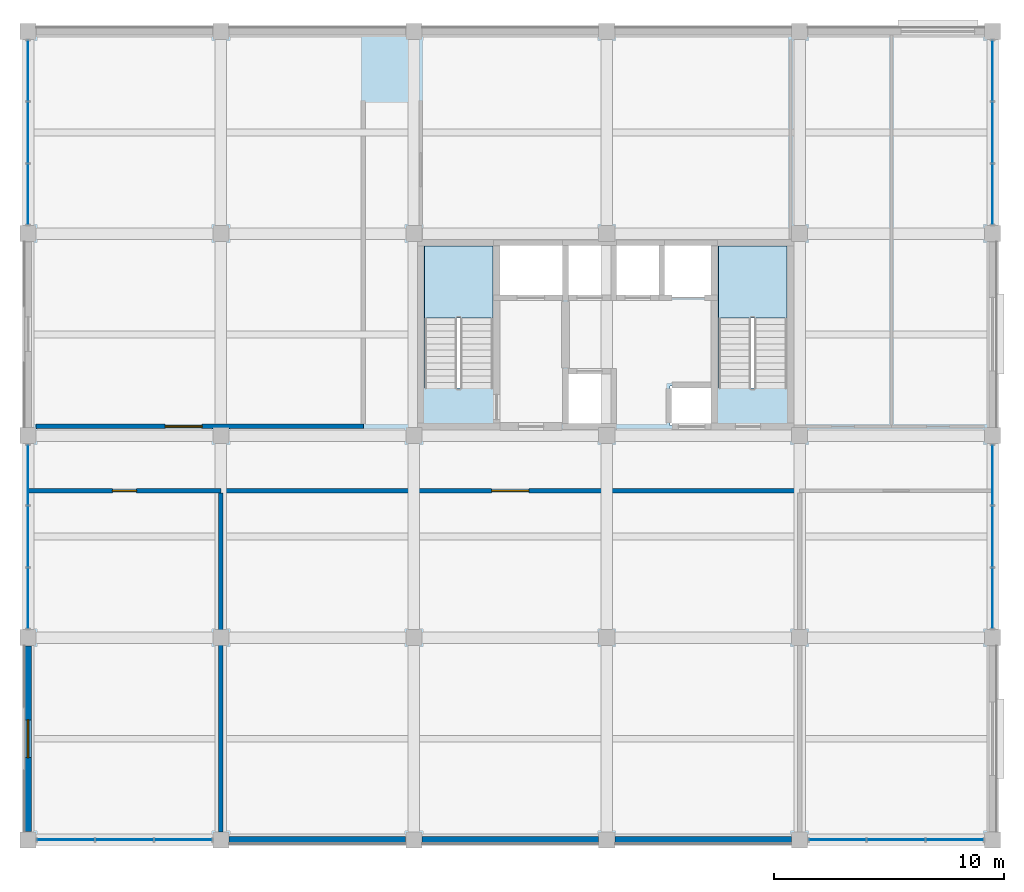
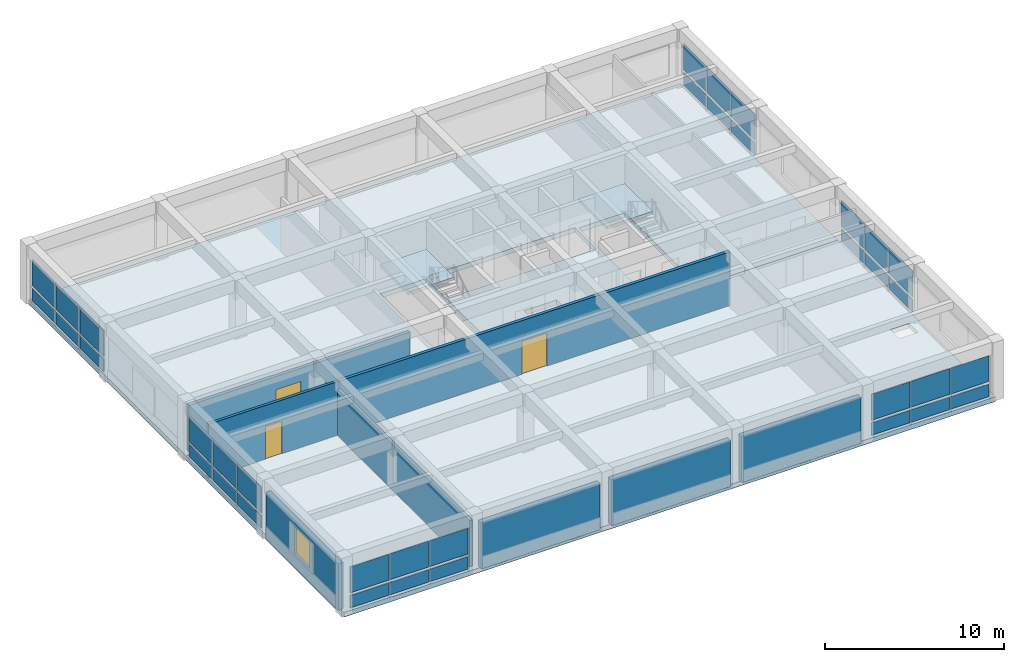
# One storey, part 7 of 14: 36 plates, 8 walls, 4 slabs, 3 doors, 1 window, 4 openings, 8 elements without a shape of their own.
"""IFC4 building model written with IfcOpenShell, lengths in metres."""

import ifcopenshell
import ifcopenshell.guid

model = None  # the IFC model being written
_history = None  # IfcOwnerHistory: only IFC2X3 demands one
_inside = {}  # id of a spatial element -> (the spatial element, [elements in it])
_under = {}  # id of a project, library or spatial element -> (it, [spatial elements below it])
_declared = {}  # id of a project -> (the project, [libraries it declares])
_typed = {}  # id of a type object -> (the type object, [elements of that type])
_made_of = {}  # id of a material, layer set ... -> (it, [elements and type objects made of it])


def new_model(schema):
    """Start an empty IFC model of exactly this schema.

    Asked for "IFC4X3", IfcOpenShell would pick the latest addendum, in which some entities
    have other attributes; the version numbers below select the first issue.
    IFC2X3 requires an IfcOwnerHistory on every rooted entity: one is made here for all.
    """
    global model, _history
    if schema == "IFC4X3":
        model = ifcopenshell.file(schema_version=(4, 3, 0, 0))
    else:
        model = ifcopenshell.file(schema=schema)
    _inside.clear()
    _under.clear()
    _declared.clear()
    _typed.clear()
    _made_of.clear()
    _history = None
    if model.schema == "IFC2X3":
        org = make("IfcOrganization", Name="unknown")
        user = make(
            "IfcPersonAndOrganization",
            ThePerson=make("IfcPerson", FamilyName="unknown"),
            TheOrganization=org,
        )
        app = make(
            "IfcApplication",
            ApplicationDeveloper=org,
            Version="unknown",
            ApplicationFullName="unknown",
            ApplicationIdentifier="unknown",
        )
        _history = make(
            "IfcOwnerHistory",
            OwningUser=user,
            OwningApplication=app,
            ChangeAction="ADDED",
            CreationDate=0,
        )
    return model


def make(cls, **values):
    """One entity of the class cls with the attributes given. An attribute that is None is left unset."""
    return model.create_entity(
        cls, **{name: value for name, value in values.items() if value is not None}
    )


def rooted(cls, **values):
    """An entity with a GlobalId (a new one), such as an element, a storey or a relation."""
    return make(cls, GlobalId=ifcopenshell.guid.new(), OwnerHistory=_history, **values)


def si_unit(unit_type, name, prefix=None):
    """IfcSIUnit, for example si_unit("LENGTHUNIT", "METRE", prefix="MILLI")."""
    return make("IfcSIUnit", UnitType=unit_type, Prefix=prefix, Name=name)


def assignment(units):
    """IfcUnitAssignment: the units of a project."""
    return None if units is None else make("IfcUnitAssignment", Units=units)


def point(xyz):
    """IfcCartesianPoint."""
    return None if xyz is None else make("IfcCartesianPoint", Coordinates=xyz)


def direction(xyz):
    """IfcDirection."""
    return None if xyz is None else make("IfcDirection", DirectionRatios=xyz)


def frame(location, z_axis=None, x_axis=None):
    """IfcAxis2Placement3D, a coordinate frame: its origin and axes. An axis left out is left unset."""
    return make(
        "IfcAxis2Placement3D",
        Location=point(location),
        Axis=direction(z_axis),
        RefDirection=direction(x_axis),
    )


def frame_2d(location, x_axis=None):
    """IfcAxis2Placement2D, a coordinate frame in the plane: its origin and x axis."""
    return make(
        "IfcAxis2Placement2D", Location=point(location), RefDirection=direction(x_axis)
    )


def origin():
    """The frame at (0, 0, 0) with its axes left unset."""
    return frame((0.0, 0.0, 0.0))


def origin_2d():
    """The frame at (0, 0) in the plane with its x axis left unset."""
    return frame_2d((0.0, 0.0))


def place(relative_to, where):
    """IfcLocalPlacement: puts the frame where relative to a parent placement (None: the world)."""
    return make(
        "IfcLocalPlacement", PlacementRelTo=relative_to, RelativePlacement=where
    )


def context(
    kind, dimensions, precision=None, world=None, true_north=None, identifier=None
):
    """IfcGeometricRepresentationContext, for example the 3D "Model" context."""
    return make(
        "IfcGeometricRepresentationContext",
        ContextIdentifier=identifier,
        ContextType=kind,
        CoordinateSpaceDimension=dimensions,
        Precision=precision,
        WorldCoordinateSystem=world,
        TrueNorth=true_north,
    )


def subcontext(parent, identifier, kind, view, scale=None):
    """IfcGeometricRepresentationSubContext, for example "Body" below "Model"."""
    return make(
        "IfcGeometricRepresentationSubContext",
        ContextIdentifier=identifier,
        ContextType=kind,
        ParentContext=parent,
        TargetScale=scale,
        TargetView=view,
    )


def project(units=None, contexts=None):
    """IfcProject with its units and contexts."""
    return rooted(
        "IfcProject",
        Name="project",
        RepresentationContexts=contexts,
        UnitsInContext=assignment(units),
    )


def spatial(cls, under=None, at=None, **own):
    """A site, building, storey or space (cls), placed at a placement, below another one or the project."""
    s = rooted(cls, ObjectPlacement=at, **own)
    if under is not None:
        _under.setdefault(under.id(), (under, []))[1].append(s)
    return s


def polyline(points):
    """IfcPolyline through the points."""
    return make("IfcPolyline", Points=[point(p) for p in points])


def profile(cls, at=None, kind="AREA", **sizes):
    """A parametric profile (cls). Its sizes go by their IFC names, for example OverallWidth=200.0."""
    return make(cls, ProfileType=kind, Position=at, **sizes)


def rectangle(**sizes):
    """IfcRectangleProfileDef."""
    return profile("IfcRectangleProfileDef", **sizes)


def outline(outer, holes=None, kind="AREA"):
    """IfcArbitraryClosedProfileDef: a profile drawn as a closed curve; with holes, ...WithVoids."""
    if holes is None:
        return make("IfcArbitraryClosedProfileDef", ProfileType=kind, OuterCurve=outer)
    return make(
        "IfcArbitraryProfileDefWithVoids",
        ProfileType=kind,
        OuterCurve=outer,
        InnerCurves=holes,
    )


def extrude(swept, where, along, depth):
    """IfcExtrudedAreaSolid: the profile swept, set in the frame where, extruded along a direction by depth."""
    return make(
        "IfcExtrudedAreaSolid",
        SweptArea=swept,
        Position=where,
        ExtrudedDirection=direction(along),
        Depth=depth,
    )


def shape(context_of_items, identifier, shape_type, items):
    """IfcShapeRepresentation: the items that make up one representation, for example the "Body"."""
    return make(
        "IfcShapeRepresentation",
        ContextOfItems=context_of_items,
        RepresentationIdentifier=identifier,
        RepresentationType=shape_type,
        Items=items,
    )


def material(Name=None, Category=None):
    """IfcMaterial."""
    return make("IfcMaterial", Name=Name, Category=Category)


def layer(
    of_material, thickness, ventilated=None, Name=None, Category=None, Priority=None
):
    """IfcMaterialLayer: one layer of a wall or slab, of a material (None: an air gap)."""
    return make(
        "IfcMaterialLayer",
        Material=of_material,
        LayerThickness=thickness,
        IsVentilated=ventilated,
        Name=Name,
        Category=Category,
        Priority=Priority,
    )


def layer_set(layers, Name=None):
    """IfcMaterialLayerSet."""
    return make("IfcMaterialLayerSet", MaterialLayers=layers, LayerSetName=Name)


def made_of(thing, what):
    """Note that an element or type object is made of a material, layer set ...; save() writes the relation."""
    if what is not None:
        _made_of.setdefault(what.id(), (what, []))[1].append(thing)
    return thing


def type_object(cls, material=None, **own):
    """A type object (cls), such as IfcWallType, which elements share."""
    return made_of(rooted(cls, **own), material)


def element(
    cls,
    number,
    at=None,
    inside=None,
    cuts=None,
    type_object=None,
    material=None,
    context=None,
    identifier="Body",
    shape_type=None,
    held_by="IfcProductDefinitionShape",
    body=None,
    shapes=None,
    **own,
):
    """One element of the class cls, such as IfcWall. Its Tag is "e" and its number.

    at: its placement. inside: the storey or other place that contains it. cuts: it is an
    opening in that element (IfcRelVoidsElement). A single representation is given by context,
    identifier, shape_type and body (its items); several are given by shapes. held_by: the class
    of the entity that holds the representations. save() writes the other relations.
    """
    e = rooted(cls, Tag="e%d" % number, ObjectPlacement=at, **own)
    if body is not None:
        shapes = [shape(context, identifier, shape_type, body)]
    if shapes is not None:
        e.Representation = make(held_by, Representations=shapes)
    if inside is not None:
        _inside.setdefault(inside.id(), (inside, []))[1].append(e)
    if cuts is not None:
        rooted(
            "IfcRelVoidsElement", RelatingBuildingElement=cuts, RelatedOpeningElement=e
        )
    if type_object is not None:
        _typed.setdefault(type_object.id(), (type_object, []))[1].append(e)
    return made_of(e, material)


def fill(opening, filler):
    """IfcRelFillsElement: the door or window that sits in an opening."""
    return rooted(
        "IfcRelFillsElement",
        RelatingOpeningElement=opening,
        RelatedBuildingElement=filler,
    )


def aggregate(whole, parts):
    """IfcRelAggregates: a whole, such as a stair, and the parts it consists of."""
    return rooted("IfcRelAggregates", RelatingObject=whole, RelatedObjects=parts)


def save(model, path):
    """Write the relations noted so far, then the file.

    IfcRelAggregates (storeys below a building ...), IfcRelContainedInSpatialStructure (elements
    in a storey), IfcRelDefinesByType, IfcRelAssociatesMaterial and IfcRelDeclares: one each for
    every whole, place, type object, material and project.
    """
    for whole, parts in _under.values():
        aggregate(whole, parts)
    for where, things in _inside.values():
        rooted(
            "IfcRelContainedInSpatialStructure",
            RelatedElements=things,
            RelatingStructure=where,
        )
    for kind, things in _typed.values():
        rooted("IfcRelDefinesByType", RelatedObjects=things, RelatingType=kind)
    for what, things in _made_of.values():
        rooted("IfcRelAssociatesMaterial", RelatedObjects=things, RelatingMaterial=what)
    for by, libraries in _declared.values():
        rooted("IfcRelDeclares", RelatingContext=by, RelatedDefinitions=libraries)
    model.write(path)


model = new_model("IFC4")

# Units and contexts
model_context = context("Model", 3, precision=1e-05, world=origin(), true_north=direction((0.0, 1.0)))
body_context = subcontext(model_context, "Body", "Model", "MODEL_VIEW")
ifc_project = project(units=[si_unit("LENGTHUNIT", "METRE"), si_unit("AREAUNIT", "SQUARE_METRE"), si_unit("VOLUMEUNIT", "CUBIC_METRE"), si_unit("PLANEANGLEUNIT", "RADIAN"), si_unit("MASSUNIT", "GRAM", prefix="KILO")], contexts=[model_context])

# Site, building, storey
site_placement = place(None, origin())
site = spatial("IfcSite", under=ifc_project, at=site_placement, CompositionType="ELEMENT")
building_placement = place(site_placement, origin())
building = spatial("IfcBuilding", under=site, at=building_placement, Name="Kemercrest Conservatory and Botanical Centre", CompositionType="ELEMENT")
storey_placement = place(building_placement, frame((0.0, 0.0, 28.800048828125)))
storey = spatial("IfcBuildingStorey", under=building, at=storey_placement, Name="L07", CompositionType="ELEMENT", Elevation=28.800048828125)

# Curtain wall, plates
ifc_material_1 = material(Name="Thermally broken aluminium and triple low-e glazing", Category="aluminium")
curtain_wall_type_1 = type_object("IfcCurtainWallType", Name="CW-29", PredefinedType="USERDEFINED", material=ifc_material_1)
curtain_wall_1_placement = place(storey_placement, origin())
curtain_wall_1 = element("IfcCurtainWall", 1, at=curtain_wall_1_placement, inside=storey, type_object=curtain_wall_type_1, Name="Unitised curtain wall CW-29 (CW:L07:V4-088)", ObjectType="UNITISED CURTAIN WALL", PredefinedType="USERDEFINED")
ifc_material_2 = material(Name="Triple low-e argon insulated glazing unit", Category="glass")
ifc_layer_1 = layer(ifc_material_2, 0.035888671875)
ifc_layer_set_1 = layer_set([ifc_layer_1], Name="Triple low-e argon insulated glazing unit")
plate_type = type_object("IfcPlateType", Name="CW-PNL036", PredefinedType="CURTAIN_PANEL", material=ifc_layer_set_1)
plate_1_placement = place(storey_placement, frame((135.646240234375, 87.199951171875, 0.179931640625), z_axis=(0.0, 0.0, 1.0), x_axis=(1.0, 0.0, 0.0)))
plate_1 = element("IfcPlate", 2, at=plate_1_placement, type_object=plate_type, Name="CW-29 panel 1.1", PredefinedType="CURTAIN_PANEL", context=body_context, shape_type="SweptSolid", body=[
    extrude(rectangle(XDim=2.472412109375, YDim=0.035888671875, at=origin_2d()), origin(), (0.0, 0.0, 1.0), 0.85009765625),
])
plate_2_placement = place(storey_placement, frame((135.646240234375, 87.199951171875, 1.2099609375), z_axis=(0.0, 0.0, 1.0), x_axis=(1.0, 0.0, 0.0)))
plate_2 = element("IfcPlate", 3, at=plate_2_placement, type_object=plate_type, Name="CW-29 panel 1.2", PredefinedType="CURTAIN_PANEL", context=body_context, shape_type="SweptSolid", body=[
    extrude(rectangle(XDim=2.472412109375, YDim=0.035888671875, at=origin_2d()), origin(), (0.0, 0.0, 1.0), 1.764892578125),
])
plate_3_placement = place(storey_placement, frame((138.199951171875, 87.199951171875, 0.179931640625), z_axis=(0.0, 0.0, 1.0), x_axis=(1.0, 0.0, 0.0)))
plate_3 = element("IfcPlate", 4, at=plate_3_placement, type_object=plate_type, Name="CW-29 panel 2.1", PredefinedType="CURTAIN_PANEL", context=body_context, shape_type="SweptSolid", body=[
    extrude(rectangle(XDim=2.5048828125, YDim=0.035888671875, at=origin_2d()), origin(), (0.0, 0.0, 1.0), 0.85009765625),
])
plate_4_placement = place(storey_placement, frame((138.199951171875, 87.199951171875, 1.2099609375), z_axis=(0.0, 0.0, 1.0), x_axis=(1.0, 0.0, 0.0)))
plate_4 = element("IfcPlate", 5, at=plate_4_placement, type_object=plate_type, Name="CW-29 panel 2.2", PredefinedType="CURTAIN_PANEL", context=body_context, shape_type="SweptSolid", body=[
    extrude(rectangle(XDim=2.5048828125, YDim=0.035888671875, at=origin_2d()), origin(), (0.0, 0.0, 1.0), 1.764892578125),
])
plate_5_placement = place(storey_placement, frame((140.753662109375, 87.199951171875, 0.179931640625), z_axis=(0.0, 0.0, 1.0), x_axis=(1.0, 0.0, 0.0)))
plate_5 = element("IfcPlate", 6, at=plate_5_placement, type_object=plate_type, Name="CW-29 panel 3.1", PredefinedType="CURTAIN_PANEL", context=body_context, shape_type="SweptSolid", body=[
    extrude(rectangle(XDim=2.472412109375, YDim=0.035888671875, at=origin_2d()), origin(), (0.0, 0.0, 1.0), 0.85009765625),
])
plate_6_placement = place(storey_placement, frame((140.753662109375, 87.199951171875, 1.2099609375), z_axis=(0.0, 0.0, 1.0), x_axis=(1.0, 0.0, 0.0)))
plate_6 = element("IfcPlate", 7, at=plate_6_placement, type_object=plate_type, Name="CW-29 panel 3.2", PredefinedType="CURTAIN_PANEL", context=body_context, shape_type="SweptSolid", body=[
    extrude(rectangle(XDim=2.472412109375, YDim=0.035888671875, at=origin_2d()), origin(), (0.0, 0.0, 1.0), 1.764892578125),
])
aggregate(curtain_wall_1, [plate_1, plate_2, plate_3, plate_4, plate_5, plate_6])

curtain_wall_type_2 = type_object("IfcCurtainWallType", Name="CW-30", PredefinedType="USERDEFINED", material=ifc_material_1)
curtain_wall_2_placement = place(storey_placement, origin())
curtain_wall_2 = element("IfcCurtainWall", 8, at=curtain_wall_2_placement, inside=storey, type_object=curtain_wall_type_2, Name="Unitised curtain wall CW-30 (CW:L07:V4-089)", ObjectType="UNITISED CURTAIN WALL", PredefinedType="USERDEFINED")
plate_7_placement = place(storey_placement, frame((169.246337890625, 87.199951171875, 0.179931640625), z_axis=(0.0, 0.0, 1.0), x_axis=(1.0, 0.0, 0.0)))
plate_7 = element("IfcPlate", 9, at=plate_7_placement, type_object=plate_type, Name="CW-30 panel 1.1", PredefinedType="CURTAIN_PANEL", context=body_context, shape_type="SweptSolid", body=[
    extrude(rectangle(XDim=2.472412109375, YDim=0.035888671875, at=origin_2d()), origin(), (0.0, 0.0, 1.0), 0.85009765625),
])
plate_8_placement = place(storey_placement, frame((169.246337890625, 87.199951171875, 1.2099609375), z_axis=(0.0, 0.0, 1.0), x_axis=(1.0, 0.0, 0.0)))
plate_8 = element("IfcPlate", 10, at=plate_8_placement, type_object=plate_type, Name="CW-30 panel 1.2", PredefinedType="CURTAIN_PANEL", context=body_context, shape_type="SweptSolid", body=[
    extrude(rectangle(XDim=2.472412109375, YDim=0.035888671875, at=origin_2d()), origin(), (0.0, 0.0, 1.0), 1.764892578125),
])
plate_9_placement = place(storey_placement, frame((171.800048828125, 87.199951171875, 0.179931640625), z_axis=(0.0, 0.0, 1.0), x_axis=(1.0, 0.0, 0.0)))
plate_9 = element("IfcPlate", 11, at=plate_9_placement, type_object=plate_type, Name="CW-30 panel 2.1", PredefinedType="CURTAIN_PANEL", context=body_context, shape_type="SweptSolid", body=[
    extrude(rectangle(XDim=2.5048828125, YDim=0.035888671875, at=origin_2d()), origin(), (0.0, 0.0, 1.0), 0.85009765625),
])
plate_10_placement = place(storey_placement, frame((171.800048828125, 87.199951171875, 1.2099609375), z_axis=(0.0, 0.0, 1.0), x_axis=(1.0, 0.0, 0.0)))
plate_10 = element("IfcPlate", 12, at=plate_10_placement, type_object=plate_type, Name="CW-30 panel 2.2", PredefinedType="CURTAIN_PANEL", context=body_context, shape_type="SweptSolid", body=[
    extrude(rectangle(XDim=2.5048828125, YDim=0.035888671875, at=origin_2d()), origin(), (0.0, 0.0, 1.0), 1.764892578125),
])
plate_11_placement = place(storey_placement, frame((174.353759765625, 87.199951171875, 0.179931640625), z_axis=(0.0, 0.0, 1.0), x_axis=(1.0, 0.0, 0.0)))
plate_11 = element("IfcPlate", 13, at=plate_11_placement, type_object=plate_type, Name="CW-30 panel 3.1", PredefinedType="CURTAIN_PANEL", context=body_context, shape_type="SweptSolid", body=[
    extrude(rectangle(XDim=2.472412109375, YDim=0.035888671875, at=origin_2d()), origin(), (0.0, 0.0, 1.0), 0.85009765625),
])
plate_12_placement = place(storey_placement, frame((174.353759765625, 87.199951171875, 1.2099609375), z_axis=(0.0, 0.0, 1.0), x_axis=(1.0, 0.0, 0.0)))
plate_12 = element("IfcPlate", 14, at=plate_12_placement, type_object=plate_type, Name="CW-30 panel 3.2", PredefinedType="CURTAIN_PANEL", context=body_context, shape_type="SweptSolid", body=[
    extrude(rectangle(XDim=2.472412109375, YDim=0.035888671875, at=origin_2d()), origin(), (0.0, 0.0, 1.0), 1.764892578125),
])
aggregate(curtain_wall_2, [plate_7, plate_8, plate_9, plate_10, plate_11, plate_12])

curtain_wall_type_3 = type_object("IfcCurtainWallType", Name="CW-01", PredefinedType="USERDEFINED", material=ifc_material_1)
curtain_wall_3_placement = place(storey_placement, origin())
curtain_wall_3 = element("IfcCurtainWall", 15, at=curtain_wall_3_placement, inside=storey, type_object=curtain_wall_type_3, Name="Unitised curtain wall CW-01 (CW:L07:V4-090)", ObjectType="UNITISED CURTAIN WALL", PredefinedType="USERDEFINED")
plate_13_placement = place(storey_placement, frame((176.0, 97.712890625, 0.179931640625), z_axis=(0.0, 0.0, 1.0), x_axis=(0.0, 1.0, 0.0)))
plate_13 = element("IfcPlate", 16, at=plate_13_placement, type_object=plate_type, Name="CW-01 panel 1.1", PredefinedType="CURTAIN_PANEL", context=body_context, shape_type="SweptSolid", body=[
    extrude(rectangle(XDim=2.605712890625, YDim=0.035888671875, at=origin_2d()), origin(), (0.0, 0.0, 1.0), 0.85009765625),
])
plate_14_placement = place(storey_placement, frame((176.0, 97.712890625, 1.2099609375), z_axis=(0.0, 0.0, 1.0), x_axis=(0.0, 1.0, 0.0)))
plate_14 = element("IfcPlate", 17, at=plate_14_placement, type_object=plate_type, Name="CW-01 panel 1.2", PredefinedType="CURTAIN_PANEL", context=body_context, shape_type="SweptSolid", body=[
    extrude(rectangle(XDim=2.605712890625, YDim=0.035888671875, at=origin_2d()), origin(), (0.0, 0.0, 1.0), 1.764892578125),
])
plate_15_placement = place(storey_placement, frame((176.0, 100.39990234375, 0.179931640625), z_axis=(0.0, 0.0, 1.0), x_axis=(0.0, 1.0, 0.0)))
plate_15 = element("IfcPlate", 18, at=plate_15_placement, type_object=plate_type, Name="CW-01 panel 2.1", PredefinedType="CURTAIN_PANEL", context=body_context, shape_type="SweptSolid", body=[
    extrude(rectangle(XDim=2.638427734375, YDim=0.035888671875, at=origin_2d()), origin(), (0.0, 0.0, 1.0), 0.85009765625),
])
plate_16_placement = place(storey_placement, frame((176.0, 100.39990234375, 1.2099609375), z_axis=(0.0, 0.0, 1.0), x_axis=(0.0, 1.0, 0.0)))
plate_16 = element("IfcPlate", 19, at=plate_16_placement, type_object=plate_type, Name="CW-01 panel 2.2", PredefinedType="CURTAIN_PANEL", context=body_context, shape_type="SweptSolid", body=[
    extrude(rectangle(XDim=2.638427734375, YDim=0.035888671875, at=origin_2d()), origin(), (0.0, 0.0, 1.0), 1.764892578125),
])
plate_17_placement = place(storey_placement, frame((176.0, 103.087158203125, 0.179931640625), z_axis=(0.0, 0.0, 1.0), x_axis=(0.0, 1.0, 0.0)))
plate_17 = element("IfcPlate", 20, at=plate_17_placement, type_object=plate_type, Name="CW-01 panel 3.1", PredefinedType="CURTAIN_PANEL", context=body_context, shape_type="SweptSolid", body=[
    extrude(rectangle(XDim=2.605712890625, YDim=0.035888671875, at=origin_2d()), origin(), (0.0, 0.0, 1.0), 0.85009765625),
])
plate_18_placement = place(storey_placement, frame((176.0, 103.087158203125, 1.2099609375), z_axis=(0.0, 0.0, 1.0), x_axis=(0.0, 1.0, 0.0)))
plate_18 = element("IfcPlate", 21, at=plate_18_placement, type_object=plate_type, Name="CW-01 panel 3.2", PredefinedType="CURTAIN_PANEL", context=body_context, shape_type="SweptSolid", body=[
    extrude(rectangle(XDim=2.605712890625, YDim=0.035888671875, at=origin_2d()), origin(), (0.0, 0.0, 1.0), 1.764892578125),
])
aggregate(curtain_wall_3, [plate_13, plate_14, plate_15, plate_16, plate_17, plate_18])

curtain_wall_type_4 = type_object("IfcCurtainWallType", Name="CW-02", PredefinedType="USERDEFINED", material=ifc_material_1)
curtain_wall_4_placement = place(storey_placement, origin())
curtain_wall_4 = element("IfcCurtainWall", 22, at=curtain_wall_4_placement, inside=storey, type_object=curtain_wall_type_4, Name="Unitised curtain wall CW-02 (CW:L07:V4-091)", ObjectType="UNITISED CURTAIN WALL", PredefinedType="USERDEFINED")
plate_19_placement = place(storey_placement, frame((176.0, 115.31298828125, 0.179931640625), z_axis=(0.0, 0.0, 1.0), x_axis=(0.0, 1.0, 0.0)))
plate_19 = element("IfcPlate", 23, at=plate_19_placement, type_object=plate_type, Name="CW-02 panel 1.1", PredefinedType="CURTAIN_PANEL", context=body_context, shape_type="SweptSolid", body=[
    extrude(rectangle(XDim=2.605712890625, YDim=0.035888671875, at=origin_2d()), origin(), (0.0, 0.0, 1.0), 0.85009765625),
])
plate_20_placement = place(storey_placement, frame((176.0, 115.31298828125, 1.2099609375), z_axis=(0.0, 0.0, 1.0), x_axis=(0.0, 1.0, 0.0)))
plate_20 = element("IfcPlate", 24, at=plate_20_placement, type_object=plate_type, Name="CW-02 panel 1.2", PredefinedType="CURTAIN_PANEL", context=body_context, shape_type="SweptSolid", body=[
    extrude(rectangle(XDim=2.605712890625, YDim=0.035888671875, at=origin_2d()), origin(), (0.0, 0.0, 1.0), 1.764892578125),
])
plate_21_placement = place(storey_placement, frame((176.0, 118.0, 0.179931640625), z_axis=(0.0, 0.0, 1.0), x_axis=(0.0, 1.0, 0.0)))
plate_21 = element("IfcPlate", 25, at=plate_21_placement, type_object=plate_type, Name="CW-02 panel 2.1", PredefinedType="CURTAIN_PANEL", context=body_context, shape_type="SweptSolid", body=[
    extrude(rectangle(XDim=2.638427734375, YDim=0.035888671875, at=origin_2d()), origin(), (0.0, 0.0, 1.0), 0.85009765625),
])
plate_22_placement = place(storey_placement, frame((176.0, 118.0, 1.2099609375), z_axis=(0.0, 0.0, 1.0), x_axis=(0.0, 1.0, 0.0)))
plate_22 = element("IfcPlate", 26, at=plate_22_placement, type_object=plate_type, Name="CW-02 panel 2.2", PredefinedType="CURTAIN_PANEL", context=body_context, shape_type="SweptSolid", body=[
    extrude(rectangle(XDim=2.638427734375, YDim=0.035888671875, at=origin_2d()), origin(), (0.0, 0.0, 1.0), 1.764892578125),
])
plate_23_placement = place(storey_placement, frame((176.0, 120.68701171875, 0.179931640625), z_axis=(0.0, 0.0, 1.0), x_axis=(0.0, 1.0, 0.0)))
plate_23 = element("IfcPlate", 27, at=plate_23_placement, type_object=plate_type, Name="CW-02 panel 3.1", PredefinedType="CURTAIN_PANEL", context=body_context, shape_type="SweptSolid", body=[
    extrude(rectangle(XDim=2.605712890625, YDim=0.035888671875, at=origin_2d()), origin(), (0.0, 0.0, 1.0), 0.85009765625),
])
plate_24_placement = place(storey_placement, frame((176.0, 120.68701171875, 1.2099609375), z_axis=(0.0, 0.0, 1.0), x_axis=(0.0, 1.0, 0.0)))
plate_24 = element("IfcPlate", 28, at=plate_24_placement, type_object=plate_type, Name="CW-02 panel 3.2", PredefinedType="CURTAIN_PANEL", context=body_context, shape_type="SweptSolid", body=[
    extrude(rectangle(XDim=2.605712890625, YDim=0.035888671875, at=origin_2d()), origin(), (0.0, 0.0, 1.0), 1.764892578125),
])
aggregate(curtain_wall_4, [plate_19, plate_20, plate_21, plate_22, plate_23, plate_24])

curtain_wall_type_5 = type_object("IfcCurtainWallType", Name="CW-03", PredefinedType="USERDEFINED", material=ifc_material_1)
curtain_wall_5_placement = place(storey_placement, origin())
curtain_wall_5 = element("IfcCurtainWall", 29, at=curtain_wall_5_placement, inside=storey, type_object=curtain_wall_type_5, Name="Unitised curtain wall CW-03 (CW:L07:V4-092)", ObjectType="UNITISED CURTAIN WALL", PredefinedType="USERDEFINED")
plate_25_placement = place(storey_placement, frame((134.0, 120.68701171875, 0.179931640625), z_axis=(0.0, 0.0, 1.0), x_axis=(0.0, -1.0, 0.0)))
plate_25 = element("IfcPlate", 30, at=plate_25_placement, type_object=plate_type, Name="CW-03 panel 1.1", PredefinedType="CURTAIN_PANEL", context=body_context, shape_type="SweptSolid", body=[
    extrude(rectangle(XDim=2.605712890625, YDim=0.035888671875, at=origin_2d()), origin(), (0.0, 0.0, 1.0), 0.85009765625),
])
plate_26_placement = place(storey_placement, frame((134.0, 120.68701171875, 1.2099609375), z_axis=(0.0, 0.0, 1.0), x_axis=(0.0, -1.0, 0.0)))
plate_26 = element("IfcPlate", 31, at=plate_26_placement, type_object=plate_type, Name="CW-03 panel 1.2", PredefinedType="CURTAIN_PANEL", context=body_context, shape_type="SweptSolid", body=[
    extrude(rectangle(XDim=2.605712890625, YDim=0.035888671875, at=origin_2d()), origin(), (0.0, 0.0, 1.0), 1.764892578125),
])
plate_27_placement = place(storey_placement, frame((134.0, 118.0, 0.179931640625), z_axis=(0.0, 0.0, 1.0), x_axis=(0.0, -1.0, 0.0)))
plate_27 = element("IfcPlate", 32, at=plate_27_placement, type_object=plate_type, Name="CW-03 panel 2.1", PredefinedType="CURTAIN_PANEL", context=body_context, shape_type="SweptSolid", body=[
    extrude(rectangle(XDim=2.638427734375, YDim=0.035888671875, at=origin_2d()), origin(), (0.0, 0.0, 1.0), 0.85009765625),
])
plate_28_placement = place(storey_placement, frame((134.0, 118.0, 1.2099609375), z_axis=(0.0, 0.0, 1.0), x_axis=(0.0, -1.0, 0.0)))
plate_28 = element("IfcPlate", 33, at=plate_28_placement, type_object=plate_type, Name="CW-03 panel 2.2", PredefinedType="CURTAIN_PANEL", context=body_context, shape_type="SweptSolid", body=[
    extrude(rectangle(XDim=2.638427734375, YDim=0.035888671875, at=origin_2d()), origin(), (0.0, 0.0, 1.0), 1.764892578125),
])
plate_29_placement = place(storey_placement, frame((134.0, 115.31298828125, 0.179931640625), z_axis=(0.0, 0.0, 1.0), x_axis=(0.0, -1.0, 0.0)))
plate_29 = element("IfcPlate", 34, at=plate_29_placement, type_object=plate_type, Name="CW-03 panel 3.1", PredefinedType="CURTAIN_PANEL", context=body_context, shape_type="SweptSolid", body=[
    extrude(rectangle(XDim=2.605712890625, YDim=0.035888671875, at=origin_2d()), origin(), (0.0, 0.0, 1.0), 0.85009765625),
])
plate_30_placement = place(storey_placement, frame((134.0, 115.31298828125, 1.2099609375), z_axis=(0.0, 0.0, 1.0), x_axis=(0.0, -1.0, 0.0)))
plate_30 = element("IfcPlate", 35, at=plate_30_placement, type_object=plate_type, Name="CW-03 panel 3.2", PredefinedType="CURTAIN_PANEL", context=body_context, shape_type="SweptSolid", body=[
    extrude(rectangle(XDim=2.605712890625, YDim=0.035888671875, at=origin_2d()), origin(), (0.0, 0.0, 1.0), 1.764892578125),
])
aggregate(curtain_wall_5, [plate_25, plate_26, plate_27, plate_28, plate_29, plate_30])

curtain_wall_type_6 = type_object("IfcCurtainWallType", Name="CW-04", PredefinedType="USERDEFINED", material=ifc_material_1)
curtain_wall_6_placement = place(storey_placement, origin())
curtain_wall_6 = element("IfcCurtainWall", 36, at=curtain_wall_6_placement, inside=storey, type_object=curtain_wall_type_6, Name="Unitised curtain wall CW-04 (CW:L07:V4-093)", ObjectType="UNITISED CURTAIN WALL", PredefinedType="USERDEFINED")
plate_31_placement = place(storey_placement, frame((134.0, 103.087158203125, 0.179931640625), z_axis=(0.0, 0.0, 1.0), x_axis=(0.0, -1.0, 0.0)))
plate_31 = element("IfcPlate", 37, at=plate_31_placement, type_object=plate_type, Name="CW-04 panel 1.1", PredefinedType="CURTAIN_PANEL", context=body_context, shape_type="SweptSolid", body=[
    extrude(rectangle(XDim=2.605712890625, YDim=0.035888671875, at=origin_2d()), origin(), (0.0, 0.0, 1.0), 0.85009765625),
])
plate_32_placement = place(storey_placement, frame((134.0, 103.087158203125, 1.2099609375), z_axis=(0.0, 0.0, 1.0), x_axis=(0.0, -1.0, 0.0)))
plate_32 = element("IfcPlate", 38, at=plate_32_placement, type_object=plate_type, Name="CW-04 panel 1.2", PredefinedType="CURTAIN_PANEL", context=body_context, shape_type="SweptSolid", body=[
    extrude(rectangle(XDim=2.605712890625, YDim=0.035888671875, at=origin_2d()), origin(), (0.0, 0.0, 1.0), 1.764892578125),
])
plate_33_placement = place(storey_placement, frame((134.0, 100.39990234375, 0.179931640625), z_axis=(0.0, 0.0, 1.0), x_axis=(0.0, -1.0, 0.0)))
plate_33 = element("IfcPlate", 39, at=plate_33_placement, type_object=plate_type, Name="CW-04 panel 2.1", PredefinedType="CURTAIN_PANEL", context=body_context, shape_type="SweptSolid", body=[
    extrude(rectangle(XDim=2.638427734375, YDim=0.035888671875, at=origin_2d()), origin(), (0.0, 0.0, 1.0), 0.85009765625),
])
plate_34_placement = place(storey_placement, frame((134.0, 100.39990234375, 1.2099609375), z_axis=(0.0, 0.0, 1.0), x_axis=(0.0, -1.0, 0.0)))
plate_34 = element("IfcPlate", 40, at=plate_34_placement, type_object=plate_type, Name="CW-04 panel 2.2", PredefinedType="CURTAIN_PANEL", context=body_context, shape_type="SweptSolid", body=[
    extrude(rectangle(XDim=2.638427734375, YDim=0.035888671875, at=origin_2d()), origin(), (0.0, 0.0, 1.0), 1.764892578125),
])
plate_35_placement = place(storey_placement, frame((134.0, 97.712890625, 0.179931640625), z_axis=(0.0, 0.0, 1.0), x_axis=(0.0, -1.0, 0.0)))
plate_35 = element("IfcPlate", 41, at=plate_35_placement, type_object=plate_type, Name="CW-04 panel 3.1", PredefinedType="CURTAIN_PANEL", context=body_context, shape_type="SweptSolid", body=[
    extrude(rectangle(XDim=2.605712890625, YDim=0.035888671875, at=origin_2d()), origin(), (0.0, 0.0, 1.0), 0.85009765625),
])
plate_36_placement = place(storey_placement, frame((134.0, 97.712890625, 1.2099609375), z_axis=(0.0, 0.0, 1.0), x_axis=(0.0, -1.0, 0.0)))
plate_36 = element("IfcPlate", 42, at=plate_36_placement, type_object=plate_type, Name="CW-04 panel 3.2", PredefinedType="CURTAIN_PANEL", context=body_context, shape_type="SweptSolid", body=[
    extrude(rectangle(XDim=2.605712890625, YDim=0.035888671875, at=origin_2d()), origin(), (0.0, 0.0, 1.0), 1.764892578125),
])
aggregate(curtain_wall_6, [plate_31, plate_32, plate_33, plate_34, plate_35, plate_36])

# Slabs
ifc_material_3 = material(Name="Concrete C40/50", Category="concrete")
ifc_layer_2 = layer(ifc_material_3, 0.320068359375)
ifc_layer_set_2 = layer_set([ifc_layer_2], Name="Concrete C40/50")
slab_type_1 = type_object("IfcSlabType", Name="SL-FL320", PredefinedType="FLOOR", material=ifc_layer_set_2)
slab_1_placement = place(storey_placement, frame((0.0, 0.0, -0.320068359375)))
element("IfcSlab", 43, at=slab_1_placement, inside=storey, type_object=slab_type_1, Name="V4 Tower L07 North Core and Studio Slab", PredefinedType="FLOOR", context=body_context, shape_type="SweptSolid", body=[
    extrude(outline(polyline([(134.0, 122.39990234375), (134.0, 104.800048828125), (176.0, 104.800048828125), (176.0, 122.39990234375), (134.0, 122.39990234375)]), holes=[polyline([(164.06005859375, 106.864990234375), (164.06005859375, 113.06005859375), (167.0400390625, 113.06005859375), (167.0400390625, 106.864990234375), (164.06005859375, 106.864990234375)]), polyline([(154.39990234375, 110.800048828125), (154.39990234375, 113.199951171875), (163.89990234375, 113.199951171875), (163.89990234375, 110.800048828125), (154.39990234375, 110.800048828125)]), polyline([(161.949951171875, 105.25), (161.949951171875, 106.949951171875), (163.85009765625, 106.949951171875), (163.85009765625, 105.25), (161.949951171875, 105.25)]), polyline([(157.39990234375, 105.199951171875), (157.39990234375, 107.60009765625), (159.5, 107.60009765625), (159.5, 105.199951171875), (157.39990234375, 105.199951171875)]), polyline([(154.239990234375, 106.864990234375), (151.260009765625, 106.864990234375), (151.260009765625, 113.06005859375), (154.239990234375, 113.06005859375), (154.239990234375, 106.864990234375)])]), origin(), (0.0, 0.0, 1.0), 0.320068359375),
])
slab_2_placement = place(storey_placement, frame((0.0, 0.0, -0.320068359375)))
element("IfcSlab", 44, at=slab_2_placement, inside=storey, type_object=slab_type_1, Name="V4 Tower L07 South Laboratory Slab", PredefinedType="FLOOR", context=body_context, shape_type="SweptSolid", body=[
    extrude(outline(polyline([(134.0, 104.800048828125), (134.0, 87.199951171875), (176.0, 87.199951171875), (176.0, 104.800048828125), (134.0, 104.800048828125)]), holes=[polyline([(175.39990234375, 94.800048828125), (174.199951171875, 94.800048828125), (174.199951171875, 95.800048828125), (175.39990234375, 95.800048828125), (175.39990234375, 94.800048828125)])]), origin(), (0.0, 0.0, 1.0), 0.320068359375),
])

# Stair, slab
stair_type = type_object("IfcStairType", Name="ST-142-40", PredefinedType="HALF_TURN_STAIR", material=ifc_material_3)
stair_1_placement = place(storey_placement, origin())
stair_1 = element("IfcStair", 45, at=stair_1_placement, inside=storey, type_object=stair_type, Name="L07 Exit stair ST-V4A", PredefinedType="HALF_TURN_STAIR")
ifc_layer_3 = layer(ifc_material_3, 0.199951171875)
ifc_layer_set_3 = layer_set([ifc_layer_3], Name="Concrete C40/50")
slab_type_2 = type_object("IfcSlabType", Name="SL-LND200", PredefinedType="LANDING", material=ifc_layer_set_3)
slab_3_placement = place(storey_placement, frame((0.0, 0.0, 1.800048828125)))
slab_3 = element("IfcSlab", 46, at=slab_3_placement, type_object=slab_type_2, Name="ST-V4A landing 1", PredefinedType="LANDING", context=body_context, shape_type="SweptSolid", body=[
    extrude(outline(polyline([(154.239990234375, 109.919921875), (154.239990234375, 113.06005859375), (151.260009765625, 113.06005859375), (151.260009765625, 109.919921875), (154.239990234375, 109.919921875)])), origin(), (0.0, 0.0, 1.0), 0.199951171875),
])
aggregate(stair_1, [slab_3])

stair_2_placement = place(storey_placement, origin())
stair_2 = element("IfcStair", 47, at=stair_2_placement, inside=storey, type_object=stair_type, Name="L07 Exit stair ST-V4B", PredefinedType="HALF_TURN_STAIR")
slab_4_placement = place(storey_placement, frame((0.0, 0.0, 1.800048828125)))
slab_4 = element("IfcSlab", 48, at=slab_4_placement, type_object=slab_type_2, Name="ST-V4B landing 1", PredefinedType="LANDING", context=body_context, shape_type="SweptSolid", body=[
    extrude(outline(polyline([(167.0400390625, 109.919921875), (167.0400390625, 113.06005859375), (164.06005859375, 113.06005859375), (164.06005859375, 109.919921875), (167.0400390625, 109.919921875)])), origin(), (0.0, 0.0, 1.0), 0.199951171875),
])
aggregate(stair_2, [slab_4])

# Walls
ifc_material_4 = material(Name="Precast concrete C40/50", Category="concrete")
ifc_layer_4 = layer(ifc_material_4, 0.300048828125)
ifc_layer_set_4 = layer_set([ifc_layer_4], Name="Precast concrete C40/50")
wall_type_1 = type_object("IfcWallType", Name="W-EXT300", PredefinedType="SOLIDWALL", material=ifc_layer_set_4)
wall_1_placement = place(storey_placement, frame((142.760009765625, 87.199951171875, 0.0), z_axis=(0.0, 0.0, 1.0), x_axis=(1.0, 0.0, 0.0)))
element("IfcWall", 49, at=wall_1_placement, inside=storey, type_object=wall_type_1, Name="Exterior almasik wall W-EXT300 (WAL:L07:EXT-262)", PredefinedType="SOLIDWALL", context=body_context, shape_type="SweptSolid", body=[
    extrude(rectangle(XDim=7.679931640625, YDim=0.300048828125, at=frame_2d((3.83984375, 0.0))), origin(), (0.0, 0.0, 1.0), 3.14990234375),
])
wall_2_placement = place(storey_placement, frame((151.159912109375, 87.199951171875, 0.0), z_axis=(0.0, 0.0, 1.0), x_axis=(1.0, 0.0, 0.0)))
element("IfcWall", 50, at=wall_2_placement, inside=storey, type_object=wall_type_1, Name="Exterior almasik wall W-EXT300 (WAL:L07:EXT-263)", PredefinedType="SOLIDWALL", context=body_context, shape_type="SweptSolid", body=[
    extrude(rectangle(XDim=7.68017578125, YDim=0.300048828125, at=frame_2d((3.840087890625, 0.0))), origin(), (0.0, 0.0, 1.0), 3.14990234375),
])
wall_3_placement = place(storey_placement, frame((159.56005859375, 87.199951171875, 0.0), z_axis=(0.0, 0.0, 1.0), x_axis=(1.0, 0.0, 0.0)))
element("IfcWall", 51, at=wall_3_placement, inside=storey, type_object=wall_type_1, Name="Exterior almasik wall W-EXT300 (WAL:L07:EXT-264)", PredefinedType="SOLIDWALL", context=body_context, shape_type="SweptSolid", body=[
    extrude(rectangle(XDim=7.679931640625, YDim=0.300048828125, at=frame_2d((3.83984375, 0.0))), origin(), (0.0, 0.0, 1.0), 3.14990234375),
])

# Wall, opening, window
wall_4_placement = place(storey_placement, frame((134.0, 95.639892578125, 0.0), z_axis=(0.0, 0.0, 1.0), x_axis=(0.0, -1.0, 0.0)))
wall_4 = element("IfcWall", 52, at=wall_4_placement, inside=storey, type_object=wall_type_1, Name="Exterior almasik wall W-EXT300 (WAL:L07:EXT-273)", PredefinedType="SOLIDWALL", context=body_context, shape_type="SweptSolid", body=[
    extrude(rectangle(XDim=8.079833984375, YDim=0.300048828125, at=frame_2d((4.0400390625, 0.0))), origin(), (0.0, 0.0, 1.0), 3.14990234375),
])
opening_1_placement = place(wall_4_placement, frame((3.215087890625, 0.0, 0.89990234375)))
opening_1 = element("IfcOpeningElement", 53, at=opening_1_placement, cuts=wall_4, Name="Opening WT-04", PredefinedType="OPENING", context=body_context, shape_type="SweptSolid", body=[
    extrude(rectangle(XDim=1.64990234375, YDim=1.85009765625, at=frame_2d((0.824951171875, 0.925048828125))), frame((0.0, 0.16015625, 0.0), z_axis=(0.0, -1.0, 0.0), x_axis=(1.0, 0.0, 0.0)), (0.0, 0.0, 1.0), 0.320068359375),
])
ifc_material_5 = material(Name="Thermally broken bronze-anodized aluminium and triple glazing", Category="aluminium")
window_type = type_object("IfcWindowType", Name="WT-04", PartitioningType="SINGLE_PANEL", PredefinedType="WINDOW", material=ifc_material_5)
window_placement = place(opening_1_placement, origin())
window = element("IfcWindow", 54, at=window_placement, inside=storey, type_object=window_type, Name="Exterior window WT-04 (WIN:L07:EXT-273)", OverallHeight=1.85009765625, OverallWidth=1.64990234375, PartitioningType="SINGLE_PANEL", PredefinedType="WINDOW", context=body_context, shape_type="SweptSolid", body=[
    extrude(rectangle(XDim=1.64990234375, YDim=1.85009765625, at=frame_2d((0.824951171875, 0.925048828125))), frame((0.0, 0.030029296875, 0.0), z_axis=(0.0, -1.0, 0.0), x_axis=(1.0, 0.0, 0.0)), (0.0, 0.0, 1.0), 0.06005859375),
])
fill(opening_1, window)

# Wall, opening, door
ifc_layer_5 = layer(ifc_material_3, 0.199951171875)
ifc_layer_set_5 = layer_set([ifc_layer_5], Name="Concrete C40/50")
wall_type_2 = type_object("IfcWallType", Name="W-FIRE", PredefinedType="PARTITIONING", material=ifc_layer_set_5)
wall_5_placement = place(storey_placement, frame((142.39990234375, 102.39990234375, 0.0), z_axis=(0.0, 0.0, 1.0), x_axis=(1.0, 0.0, 0.0)))
wall_5 = element("IfcWall", 55, at=wall_5_placement, inside=storey, type_object=wall_type_2, Name="Interior partition W-FIRE #202", PredefinedType="PARTITIONING", context=body_context, shape_type="SweptSolid", body=[
    extrude(rectangle(XDim=25.2001953125, YDim=0.199951171875, at=frame_2d((12.60009765625, 0.0))), origin(), (0.0, 0.0, 1.0), 3.6650390625),
])
opening_2_placement = place(wall_5_placement, frame((11.7900390625, 0.0, 0.0)))
opening_2 = element("IfcOpeningElement", 56, at=opening_2_placement, cuts=wall_5, Name="Opening D220", PredefinedType="OPENING", context=body_context, shape_type="SweptSolid", body=[
    extrude(rectangle(XDim=1.6201171875, YDim=2.25, at=frame_2d((0.81005859375, 1.125))), frame((0.0, 0.10986328125, 0.0), z_axis=(0.0, -1.0, 0.0), x_axis=(1.0, 0.0, 0.0)), (0.0, 0.0, 1.0), 0.219970703125),
])
ifc_material_6 = material(Name="Powder-coated galvanized steel and fire-rated vision glass", Category="steel")
door_type_1 = type_object("IfcDoorType", Name="DT-FD60D", OperationType="DOUBLE_DOOR_SINGLE_SWING", PredefinedType="DOOR", material=ifc_material_6)
door_1_placement = place(opening_2_placement, origin())
door_1 = element("IfcDoor", 57, at=door_1_placement, inside=storey, type_object=door_type_1, Name="Herbarium Compact Shelving Vault door D220", OperationType="DOUBLE_DOOR_SINGLE_SWING", OverallHeight=2.25, OverallWidth=1.6201171875, PredefinedType="DOOR", context=body_context, shape_type="SweptSolid", body=[
    extrude(rectangle(XDim=1.6201171875, YDim=2.25, at=frame_2d((0.81005859375, 1.125))), frame((0.0, 0.02490234375, 0.0), z_axis=(0.0, -1.0, 0.0), x_axis=(1.0, 0.0, 0.0)), (0.0, 0.0, 1.0), 0.050048828125),
])
fill(opening_2, door_1)

wall_6_placement = place(storey_placement, frame((134.35009765625, 105.199951171875, 0.0), z_axis=(0.0, 0.0, 1.0), x_axis=(1.0, 0.0, 0.0)))
wall_6 = element("IfcWall", 58, at=wall_6_placement, inside=storey, type_object=wall_type_2, Name="Interior partition W-FIRE #205", PredefinedType="PARTITIONING", context=body_context, shape_type="SweptSolid", body=[
    extrude(rectangle(XDim=14.25, YDim=0.199951171875, at=frame_2d((7.125, 0.0))), origin(), (0.0, 0.0, 1.0), 3.14501953125),
])
opening_3_placement = place(wall_6_placement, frame((5.614990234375, 0.0, 0.0)))
opening_3 = element("IfcOpeningElement", 59, at=opening_3_placement, cuts=wall_6, Name="Opening D223", PredefinedType="OPENING", context=body_context, shape_type="SweptSolid", body=[
    extrude(rectangle(XDim=1.6201171875, YDim=2.25, at=frame_2d((0.81005859375, 1.125))), frame((0.0, 0.10986328125, 0.0), z_axis=(0.0, -1.0, 0.0), x_axis=(1.0, 0.0, 0.0)), (0.0, 0.0, 1.0), 0.219970703125),
])
door_2_placement = place(opening_3_placement, origin())
door_2 = element("IfcDoor", 60, at=door_2_placement, inside=storey, type_object=door_type_1, Name="Herbarium Archival Vault door D223", OperationType="DOUBLE_DOOR_SINGLE_SWING", OverallHeight=2.25, OverallWidth=1.6201171875, PredefinedType="DOOR", context=body_context, shape_type="SweptSolid", body=[
    extrude(rectangle(XDim=1.6201171875, YDim=2.25, at=frame_2d((0.81005859375, 1.125))), frame((0.0, 0.02490234375, 0.0), z_axis=(0.0, -1.0, 0.0), x_axis=(1.0, 0.0, 0.0)), (0.0, 0.0, 1.0), 0.050048828125),
])
fill(opening_3, door_2)

# Wall
wall_7_placement = place(storey_placement, frame((142.39990234375, 87.550048828125, 0.0), z_axis=(0.0, 0.0, 1.0), x_axis=(0.0, 1.0, 0.0)))
element("IfcWall", 61, at=wall_7_placement, inside=storey, type_object=wall_type_2, Name="Interior partition W-FIRE #210", PredefinedType="PARTITIONING", context=body_context, shape_type="SweptSolid", body=[
    extrude(rectangle(XDim=14.744873046875, YDim=0.199951171875, at=frame_2d((7.37255859375, 0.0))), origin(), (0.0, 0.0, 1.0), 3.14501953125),
])

# Wall, opening, door
ifc_material_7 = material(Name="Acoustic steel-stud gypsum board assembly", Category="steel")
ifc_layer_6 = layer(ifc_material_7, 0.179931640625)
ifc_layer_set_6 = layer_set([ifc_layer_6], Name="Acoustic steel-stud gypsum board assembly")
wall_type_3 = type_object("IfcWallType", Name="W-PART180", PredefinedType="PARTITIONING", material=ifc_layer_set_6)
wall_8_placement = place(storey_placement, frame((134.0, 102.39990234375, 0.0), z_axis=(0.0, 0.0, 1.0), x_axis=(1.0, 0.0, 0.0)))
wall_8 = element("IfcWall", 62, at=wall_8_placement, inside=storey, type_object=wall_type_3, Name="Interior partition W-PART180 #203", PredefinedType="PARTITIONING", context=body_context, shape_type="SweptSolid", body=[
    extrude(rectangle(XDim=8.39990234375, YDim=0.179931640625, at=frame_2d((4.199951171875, 0.0))), origin(), (0.0, 0.0, 1.0), 3.6650390625),
])
opening_4_placement = place(wall_8_placement, frame((3.669921875, 0.0, 0.0)))
opening_4 = element("IfcOpeningElement", 63, at=opening_4_placement, cuts=wall_8, Name="Opening D221", PredefinedType="OPENING", context=body_context, shape_type="SweptSolid", body=[
    extrude(rectangle(XDim=1.06005859375, YDim=2.219970703125, at=frame_2d((0.530029296875, 1.10986328125))), frame((0.0, 0.10009765625, 0.0), z_axis=(0.0, -1.0, 0.0), x_axis=(1.0, 0.0, 0.0)), (0.0, 0.0, 1.0), 0.199951171875),
])
ifc_material_8 = material(Name="FSC solid-core white oak veneer and anodized aluminium frame", Category="aluminium")
door_type_2 = type_object("IfcDoorType", Name="DT-35", OperationType="NOTDEFINED", PredefinedType="DOOR", material=ifc_material_8)
door_3_placement = place(opening_4_placement, origin())
door_3 = element("IfcDoor", 64, at=door_3_placement, inside=storey, type_object=door_type_2, Name="Herbarium Digitization Laboratory door D221", OperationType="SINGLE_SWING_LEFT", OverallHeight=2.219970703125, OverallWidth=1.06005859375, PredefinedType="DOOR", context=body_context, shape_type="SweptSolid", body=[
    extrude(rectangle(XDim=1.06005859375, YDim=2.219970703125, at=frame_2d((0.530029296875, 1.10986328125))), frame((0.0, 0.02490234375, 0.0), z_axis=(0.0, -1.0, 0.0), x_axis=(1.0, 0.0, 0.0)), (0.0, 0.0, 1.0), 0.050048828125),
])
fill(opening_4, door_3)

save(model, "model.ifc")
